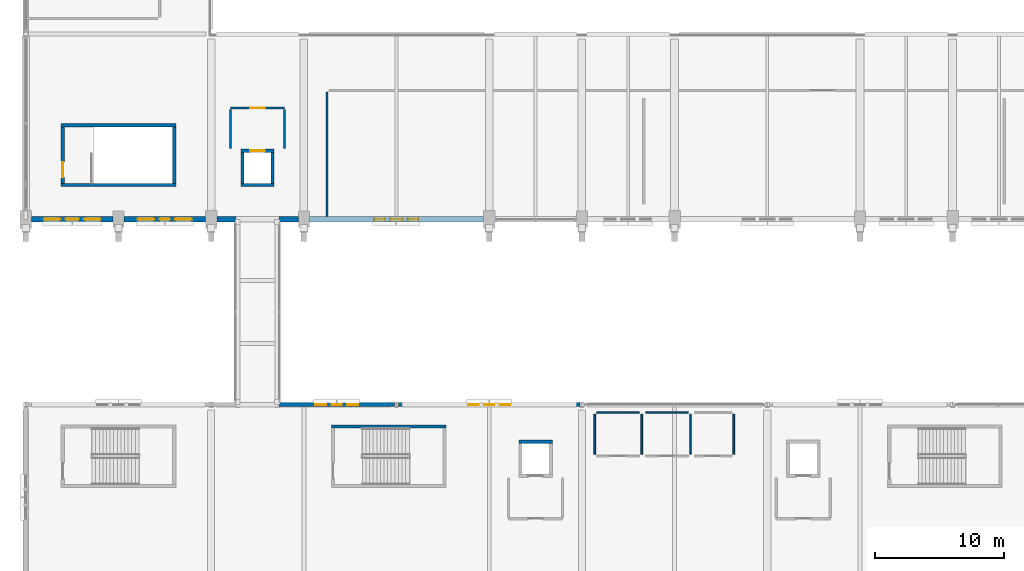
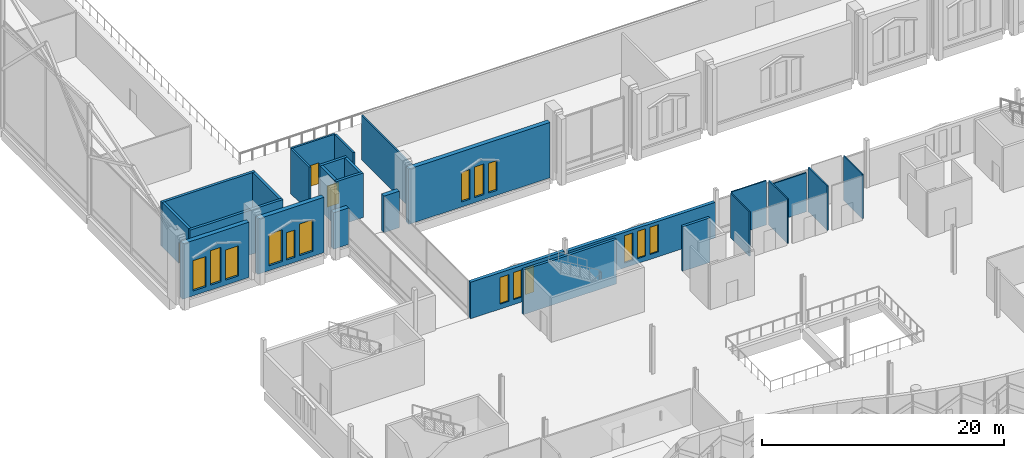
# One storey, part 150 of 220: 27 walls, 15 windows, 3 doors, 18 openings.
"""IFC4 building model written with IfcOpenShell, lengths in metres."""

from ifc_helpers import new_model, si_unit, direction, frame, frame_2d, origin, place, context, subcontext, project, spatial, rectangle, extrude, material, layer, layer_set, type_object, element, fill, save


model = new_model("IFC4")

# Units and contexts
model_context = context("Model", 3, precision=1e-05, world=origin(), true_north=direction((0.0, 1.0)))
body_context = subcontext(model_context, "Body", "Model", "MODEL_VIEW")
ifc_project = project(units=[si_unit("LENGTHUNIT", "METRE"), si_unit("AREAUNIT", "SQUARE_METRE"), si_unit("VOLUMEUNIT", "CUBIC_METRE"), si_unit("PLANEANGLEUNIT", "RADIAN"), si_unit("MASSUNIT", "GRAM", prefix="KILO")], contexts=[model_context])

# Site, building, storey
site_placement = place(None, origin())
site = spatial("IfcSite", under=ifc_project, at=site_placement, CompositionType="ELEMENT")
building_placement = place(site_placement, origin())
building = spatial("IfcBuilding", under=site, at=building_placement, Name="Cendralis Lancet Convention Centre", CompositionType="ELEMENT")
storey_placement = place(building_placement, frame((0.0, 0.0, 5.39990234375)))
storey = spatial("IfcBuildingStorey", under=building, at=storey_placement, Name="L01", CompositionType="ELEMENT", Elevation=5.39990234375)

# Wall, openings, windows
ifc_material_1 = material(Name="Buff sandstone ashlar and Concrete G40 (C40/50)", Category="masonry")
ifc_layer_1 = layer(ifc_material_1, 0.320068359375, Name="Buff sandstone ashlar and Concrete G40 (C40/50)")
ifc_layer_set_1 = layer_set([ifc_layer_1], Name="Buff sandstone ashlar and Concrete G40 (C40/50)")
wall_type_1 = type_object("IfcWallType", Name="ARC-EW-W320", PredefinedType="STANDARD", material=ifc_layer_set_1)
wall_1_placement = place(storey_placement, frame((19.679931640625, 36.0, 0.0), z_axis=(0.0, 0.0, 1.0), x_axis=(1.0, 0.0, 0.0)))
wall_1 = element("IfcWall", 1, at=wall_1_placement, inside=storey, type_object=wall_type_1, Name="L01 V4 Exterior Wall EW-06 #0194", PredefinedType="STANDARD", context=body_context, shape_type="SweptSolid", body=[
    extrude(rectangle(XDim=8.962158203125, YDim=0.320068359375, at=frame_2d((4.48095703125, 0.0))), origin(), (0.0, 0.0, 1.0), 3.68505859375),
])
opening_1_placement = place(wall_1_placement, frame((2.821044921875, 0.0, 0.5)))
opening_1 = element("IfcOpeningElement", 2, at=opening_1_placement, cuts=wall_1, Name="Opening WN-15", PredefinedType="OPENING", context=body_context, shape_type="SweptSolid", body=[
    extrude(rectangle(XDim=0.840087890625, YDim=2.699951171875, at=frame_2d((0.419921875, 1.35009765625))), frame((0.0, 0.169921875, 0.0), z_axis=(0.0, -1.0, 0.0), x_axis=(1.0, 0.0, 0.0)), (0.0, 0.0, 1.0), 0.340087890625),
])
opening_2_placement = place(wall_1_placement, frame((4.0810546875, 0.0, 0.5)))
opening_2 = element("IfcOpeningElement", 3, at=opening_2_placement, cuts=wall_1, Name="Opening WN-07", PredefinedType="OPENING", context=body_context, shape_type="SweptSolid", body=[
    extrude(rectangle(XDim=0.800048828125, YDim=2.75, at=frame_2d((0.39990234375, 1.375))), frame((0.0, 0.169921875, 0.0), z_axis=(0.0, -1.0, 0.0), x_axis=(1.0, 0.0, 0.0)), (0.0, 0.0, 1.0), 0.340087890625),
])
opening_3_placement = place(wall_1_placement, frame((5.301025390625, 0.0, 0.5)))
opening_3 = element("IfcOpeningElement", 4, at=opening_3_placement, cuts=wall_1, Name="Opening WN-15", PredefinedType="OPENING", context=body_context, shape_type="SweptSolid", body=[
    extrude(rectangle(XDim=0.840087890625, YDim=2.699951171875, at=frame_2d((0.419921875, 1.35009765625))), frame((0.0, 0.169921875, 0.0), z_axis=(0.0, -1.0, 0.0), x_axis=(1.0, 0.0, 0.0)), (0.0, 0.0, 1.0), 0.340087890625),
])
ifc_material_2 = material(Name="Double-glazed low-E solar-control glass", Category="glass")
window_type_1 = type_object("IfcWindowType", Name="ARC-WN-LW07", PartitioningType="SINGLE_PANEL", PredefinedType="WINDOW", material=ifc_material_2)
window_1_placement = place(opening_2_placement, origin())
window_1 = element("IfcWindow", 5, at=window_1_placement, inside=storey, type_object=window_type_1, Name="Gothic Lancet Window WN-07 #0374", OverallHeight=2.75, OverallWidth=0.800048828125, PartitioningType="SINGLE_PANEL", PredefinedType="WINDOW", context=body_context, shape_type="SweptSolid", body=[
    extrude(rectangle(XDim=0.800048828125, YDim=2.75, at=frame_2d((0.39990234375, 1.375))), frame((0.0, 0.030029296875, 0.0), z_axis=(0.0, -1.0, 0.0), x_axis=(1.0, 0.0, 0.0)), (0.0, 0.0, 1.0), 0.06005859375),
])
fill(opening_2, window_1)
window_type_2 = type_object("IfcWindowType", Name="ARC-WN-LW15", PartitioningType="SINGLE_PANEL", PredefinedType="WINDOW", material=ifc_material_2)
window_2_placement = place(opening_1_placement, origin())
window_2 = element("IfcWindow", 6, at=window_2_placement, inside=storey, type_object=window_type_2, Name="Gothic Lancet Window WN-15 #0373", OverallHeight=2.699951171875, OverallWidth=0.840087890625, PartitioningType="SINGLE_PANEL", PredefinedType="WINDOW", context=body_context, shape_type="SweptSolid", body=[
    extrude(rectangle(XDim=0.840087890625, YDim=2.699951171875, at=frame_2d((0.419921875, 1.35009765625))), frame((0.0, 0.030029296875, 0.0), z_axis=(0.0, -1.0, 0.0), x_axis=(1.0, 0.0, 0.0)), (0.0, 0.0, 1.0), 0.06005859375),
])
fill(opening_1, window_2)
window_3_placement = place(opening_3_placement, origin())
window_3 = element("IfcWindow", 7, at=window_3_placement, inside=storey, type_object=window_type_2, Name="Gothic Lancet Window WN-15 #0375", OverallHeight=2.699951171875, OverallWidth=0.840087890625, PartitioningType="SINGLE_PANEL", PredefinedType="WINDOW", context=body_context, shape_type="SweptSolid", body=[
    extrude(rectangle(XDim=0.840087890625, YDim=2.699951171875, at=frame_2d((0.419921875, 1.35009765625))), frame((0.0, 0.030029296875, 0.0), z_axis=(0.0, -1.0, 0.0), x_axis=(1.0, 0.0, 0.0)), (0.0, 0.0, 1.0), 0.06005859375),
])
fill(opening_3, window_3)

wall_2_placement = place(storey_placement, frame((28.9580078125, 36.0, 0.0), z_axis=(0.0, 0.0, 1.0), x_axis=(1.0, 0.0, 0.0)))
wall_2 = element("IfcWall", 8, at=wall_2_placement, inside=storey, type_object=wall_type_1, Name="L01 V4 Exterior Wall EW-06 #0195", PredefinedType="STANDARD", context=body_context, shape_type="SweptSolid", body=[
    extrude(rectangle(XDim=14.083984375, YDim=0.320068359375, at=frame_2d((7.0419921875, 0.0))), origin(), (0.0, 0.0, 1.0), 3.585205078125),
])
opening_4_placement = place(wall_2_placement, frame((5.422119140625, 0.0, 0.5)))
opening_4 = element("IfcOpeningElement", 9, at=opening_4_placement, cuts=wall_2, Name="Opening WN-07", PredefinedType="OPENING", context=body_context, shape_type="SweptSolid", body=[
    extrude(rectangle(XDim=0.800048828125, YDim=2.75, at=frame_2d((0.39990234375, 1.375))), frame((0.0, 0.169921875, 0.0), z_axis=(0.0, -1.0, 0.0), x_axis=(1.0, 0.0, 0.0)), (0.0, 0.0, 1.0), 0.340087890625),
])
opening_5_placement = place(wall_2_placement, frame((6.64208984375, 0.0, 0.5)))
opening_5 = element("IfcOpeningElement", 10, at=opening_5_placement, cuts=wall_2, Name="Opening WN-07", PredefinedType="OPENING", context=body_context, shape_type="SweptSolid", body=[
    extrude(rectangle(XDim=0.800048828125, YDim=2.75, at=frame_2d((0.39990234375, 1.375))), frame((0.0, 0.169921875, 0.0), z_axis=(0.0, -1.0, 0.0), x_axis=(1.0, 0.0, 0.0)), (0.0, 0.0, 1.0), 0.340087890625),
])
opening_6_placement = place(wall_2_placement, frame((7.862060546875, 0.0, 0.5)))
opening_6 = element("IfcOpeningElement", 11, at=opening_6_placement, cuts=wall_2, Name="Opening WN-07", PredefinedType="OPENING", context=body_context, shape_type="SweptSolid", body=[
    extrude(rectangle(XDim=0.800048828125, YDim=2.75, at=frame_2d((0.39990234375, 1.375))), frame((0.0, 0.169921875, 0.0), z_axis=(0.0, -1.0, 0.0), x_axis=(1.0, 0.0, 0.0)), (0.0, 0.0, 1.0), 0.340087890625),
])
window_4_placement = place(opening_4_placement, origin())
window_4 = element("IfcWindow", 12, at=window_4_placement, inside=storey, type_object=window_type_1, Name="Gothic Lancet Window WN-07 #0376", OverallHeight=2.75, OverallWidth=0.800048828125, PartitioningType="SINGLE_PANEL", PredefinedType="WINDOW", context=body_context, shape_type="SweptSolid", body=[
    extrude(rectangle(XDim=0.800048828125, YDim=2.75, at=frame_2d((0.39990234375, 1.375))), frame((0.0, 0.030029296875, 0.0), z_axis=(0.0, -1.0, 0.0), x_axis=(1.0, 0.0, 0.0)), (0.0, 0.0, 1.0), 0.06005859375),
])
fill(opening_4, window_4)
window_5_placement = place(opening_5_placement, origin())
window_5 = element("IfcWindow", 13, at=window_5_placement, inside=storey, type_object=window_type_1, Name="Gothic Lancet Window WN-07 #0377", OverallHeight=2.75, OverallWidth=0.800048828125, PartitioningType="SINGLE_PANEL", PredefinedType="WINDOW", context=body_context, shape_type="SweptSolid", body=[
    extrude(rectangle(XDim=0.800048828125, YDim=2.75, at=frame_2d((0.39990234375, 1.375))), frame((0.0, 0.030029296875, 0.0), z_axis=(0.0, -1.0, 0.0), x_axis=(1.0, 0.0, 0.0)), (0.0, 0.0, 1.0), 0.06005859375),
])
fill(opening_5, window_5)
window_6_placement = place(opening_6_placement, origin())
window_6 = element("IfcWindow", 14, at=window_6_placement, inside=storey, type_object=window_type_1, Name="Gothic Lancet Window WN-07 #0378", OverallHeight=2.75, OverallWidth=0.800048828125, PartitioningType="SINGLE_PANEL", PredefinedType="WINDOW", context=body_context, shape_type="SweptSolid", body=[
    extrude(rectangle(XDim=0.800048828125, YDim=2.75, at=frame_2d((0.39990234375, 1.375))), frame((0.0, 0.030029296875, 0.0), z_axis=(0.0, -1.0, 0.0), x_axis=(1.0, 0.0, 0.0)), (0.0, 0.0, 1.0), 0.06005859375),
])
fill(opening_6, window_6)

ifc_layer_2 = layer(ifc_material_1, 0.419921875, Name="Buff sandstone ashlar and Concrete G40 (C40/50)")
ifc_layer_set_2 = layer_set([ifc_layer_2], Name="Buff sandstone ashlar and Concrete G40 (C40/50)")
wall_type_2 = type_object("IfcWallType", Name="ARC-EW-W420", PredefinedType="STANDARD", material=ifc_layer_set_2)
wall_3_placement = place(storey_placement, frame((6.76708984375, 50.39990234375, 0.0), z_axis=(0.0, 0.0, 1.0), x_axis=(-1.0, 0.0, 0.0)))
wall_3 = element("IfcWall", 15, at=wall_3_placement, inside=storey, type_object=wall_type_2, Name="L01 V1 Exterior Wall EW-01 #0051", PredefinedType="STANDARD", context=body_context, shape_type="SweptSolid", body=[
    extrude(rectangle(XDim=6.30908203125, YDim=0.419921875, at=frame_2d((3.154541015625, 0.0))), origin(), (0.0, 0.0, 1.0), 5.585205078125),
])
opening_7_placement = place(wall_3_placement, frame((0.974609375, 0.0, 0.5)))
opening_7 = element("IfcOpeningElement", 16, at=opening_7_placement, cuts=wall_3, Name="Opening WN-16", PredefinedType="OPENING", context=body_context, shape_type="SweptSolid", body=[
    extrude(rectangle(XDim=1.239990234375, YDim=3.050048828125, at=frame_2d((0.6201171875, 1.52490234375))), frame((0.0, 0.219970703125, 0.0), z_axis=(0.0, -1.0, 0.0), x_axis=(1.0, 0.0, 0.0)), (0.0, 0.0, 1.0), 0.43994140625),
])
opening_8_placement = place(wall_3_placement, frame((2.634521484375, 0.0, 0.5)))
opening_8 = element("IfcOpeningElement", 17, at=opening_8_placement, cuts=wall_3, Name="Opening WN-06", PredefinedType="OPENING", context=body_context, shape_type="SweptSolid", body=[
    extrude(rectangle(XDim=1.0400390625, YDim=3.47998046875, at=frame_2d((0.52001953125, 1.739990234375))), frame((0.0, 0.219970703125, 0.0), z_axis=(0.0, -1.0, 0.0), x_axis=(1.0, 0.0, 0.0)), (0.0, 0.0, 1.0), 0.43994140625),
])
opening_9_placement = place(wall_3_placement, frame((4.094482421875, 0.0, 0.5)))
opening_9 = element("IfcOpeningElement", 18, at=opening_9_placement, cuts=wall_3, Name="Opening WN-16", PredefinedType="OPENING", context=body_context, shape_type="SweptSolid", body=[
    extrude(rectangle(XDim=1.239990234375, YDim=3.050048828125, at=frame_2d((0.6201171875, 1.52490234375))), frame((0.0, 0.219970703125, 0.0), z_axis=(0.0, -1.0, 0.0), x_axis=(1.0, 0.0, 0.0)), (0.0, 0.0, 1.0), 0.43994140625),
])
window_type_3 = type_object("IfcWindowType", Name="ARC-WN-LW06", PartitioningType="SINGLE_PANEL", PredefinedType="WINDOW", material=ifc_material_2)
window_7_placement = place(opening_8_placement, origin())
window_7 = element("IfcWindow", 19, at=window_7_placement, inside=storey, type_object=window_type_3, Name="Gothic Lancet Window WN-06 #0074", OverallHeight=3.47998046875, OverallWidth=1.0400390625, PartitioningType="SINGLE_PANEL", PredefinedType="WINDOW", context=body_context, shape_type="SweptSolid", body=[
    extrude(rectangle(XDim=1.0400390625, YDim=3.47998046875, at=frame_2d((0.52001953125, 1.739990234375))), frame((0.0, 0.030029296875, 0.0), z_axis=(0.0, -1.0, 0.0), x_axis=(1.0, 0.0, 0.0)), (0.0, 0.0, 1.0), 0.06005859375),
])
fill(opening_8, window_7)
window_type_4 = type_object("IfcWindowType", Name="ARC-WN-LW16", PartitioningType="SINGLE_PANEL", PredefinedType="WINDOW", material=ifc_material_2)
window_8_placement = place(opening_7_placement, origin())
window_8 = element("IfcWindow", 20, at=window_8_placement, inside=storey, type_object=window_type_4, Name="Gothic Lancet Window WN-16 #0073", OverallHeight=3.050048828125, OverallWidth=1.239990234375, PartitioningType="SINGLE_PANEL", PredefinedType="WINDOW", context=body_context, shape_type="SweptSolid", body=[
    extrude(rectangle(XDim=1.239990234375, YDim=3.050048828125, at=frame_2d((0.6201171875, 1.52490234375))), frame((0.0, 0.030029296875, 0.0), z_axis=(0.0, -1.0, 0.0), x_axis=(1.0, 0.0, 0.0)), (0.0, 0.0, 1.0), 0.06005859375),
])
fill(opening_7, window_8)
window_9_placement = place(opening_9_placement, origin())
window_9 = element("IfcWindow", 21, at=window_9_placement, inside=storey, type_object=window_type_4, Name="Gothic Lancet Window WN-16 #0075", OverallHeight=3.050048828125, OverallWidth=1.239990234375, PartitioningType="SINGLE_PANEL", PredefinedType="WINDOW", context=body_context, shape_type="SweptSolid", body=[
    extrude(rectangle(XDim=1.239990234375, YDim=3.050048828125, at=frame_2d((0.6201171875, 1.52490234375))), frame((0.0, 0.030029296875, 0.0), z_axis=(0.0, -1.0, 0.0), x_axis=(1.0, 0.0, 0.0)), (0.0, 0.0, 1.0), 0.06005859375),
])
fill(opening_9, window_9)

wall_4_placement = place(storey_placement, frame((13.94189453125, 50.39990234375, 0.0), z_axis=(0.0, 0.0, 1.0), x_axis=(-1.0, 0.0, 0.0)))
wall_4 = element("IfcWall", 22, at=wall_4_placement, inside=storey, type_object=wall_type_2, Name="L01 V1 Exterior Wall EW-01 #0052", PredefinedType="STANDARD", context=body_context, shape_type="SweptSolid", body=[
    extrude(rectangle(XDim=6.308837890625, YDim=0.419921875, at=frame_2d((3.154296875, 0.0))), origin(), (0.0, 0.0, 1.0), 5.585205078125),
])
opening_10_placement = place(wall_4_placement, frame((1.054443359375, 0.0, 0.5)))
opening_10 = element("IfcOpeningElement", 23, at=opening_10_placement, cuts=wall_4, Name="Opening WN-17", PredefinedType="OPENING", context=body_context, shape_type="SweptSolid", body=[
    extrude(rectangle(XDim=1.280029296875, YDim=3.199951171875, at=frame_2d((0.64013671875, 1.60009765625))), frame((0.0, 0.219970703125, 0.0), z_axis=(0.0, -1.0, 0.0), x_axis=(1.0, 0.0, 0.0)), (0.0, 0.0, 1.0), 0.43994140625),
])
opening_11_placement = place(wall_4_placement, frame((2.75439453125, 0.0, 0.5)))
opening_11 = element("IfcOpeningElement", 24, at=opening_11_placement, cuts=wall_4, Name="Opening WN-07", PredefinedType="OPENING", context=body_context, shape_type="SweptSolid", body=[
    extrude(rectangle(XDim=0.800048828125, YDim=2.75, at=frame_2d((0.39990234375, 1.375))), frame((0.0, 0.219970703125, 0.0), z_axis=(0.0, -1.0, 0.0), x_axis=(1.0, 0.0, 0.0)), (0.0, 0.0, 1.0), 0.43994140625),
])
opening_12_placement = place(wall_4_placement, frame((3.974609375, 0.0, 0.5)))
opening_12 = element("IfcOpeningElement", 25, at=opening_12_placement, cuts=wall_4, Name="Opening WN-17", PredefinedType="OPENING", context=body_context, shape_type="SweptSolid", body=[
    extrude(rectangle(XDim=1.280029296875, YDim=3.199951171875, at=frame_2d((0.64013671875, 1.60009765625))), frame((0.0, 0.219970703125, 0.0), z_axis=(0.0, -1.0, 0.0), x_axis=(1.0, 0.0, 0.0)), (0.0, 0.0, 1.0), 0.43994140625),
])
window_10_placement = place(opening_11_placement, origin())
window_10 = element("IfcWindow", 26, at=window_10_placement, inside=storey, type_object=window_type_1, Name="Gothic Lancet Window WN-07 #0077", OverallHeight=2.75, OverallWidth=0.800048828125, PartitioningType="SINGLE_PANEL", PredefinedType="WINDOW", context=body_context, shape_type="SweptSolid", body=[
    extrude(rectangle(XDim=0.800048828125, YDim=2.75, at=frame_2d((0.39990234375, 1.375))), frame((0.0, 0.030029296875, 0.0), z_axis=(0.0, -1.0, 0.0), x_axis=(1.0, 0.0, 0.0)), (0.0, 0.0, 1.0), 0.06005859375),
])
fill(opening_11, window_10)
window_type_5 = type_object("IfcWindowType", Name="ARC-WN-LW17", PartitioningType="SINGLE_PANEL", PredefinedType="WINDOW", material=ifc_material_2)
window_11_placement = place(opening_10_placement, origin())
window_11 = element("IfcWindow", 27, at=window_11_placement, inside=storey, type_object=window_type_5, Name="Gothic Lancet Window WN-17 #0076", OverallHeight=3.199951171875, OverallWidth=1.280029296875, PartitioningType="SINGLE_PANEL", PredefinedType="WINDOW", context=body_context, shape_type="SweptSolid", body=[
    extrude(rectangle(XDim=1.280029296875, YDim=3.199951171875, at=frame_2d((0.64013671875, 1.60009765625))), frame((0.0, 0.030029296875, 0.0), z_axis=(0.0, -1.0, 0.0), x_axis=(1.0, 0.0, 0.0)), (0.0, 0.0, 1.0), 0.06005859375),
])
fill(opening_10, window_11)
window_12_placement = place(opening_12_placement, origin())
window_12 = element("IfcWindow", 28, at=window_12_placement, inside=storey, type_object=window_type_5, Name="Gothic Lancet Window WN-17 #0078", OverallHeight=3.199951171875, OverallWidth=1.280029296875, PartitioningType="SINGLE_PANEL", PredefinedType="WINDOW", context=body_context, shape_type="SweptSolid", body=[
    extrude(rectangle(XDim=1.280029296875, YDim=3.199951171875, at=frame_2d((0.64013671875, 1.60009765625))), frame((0.0, 0.030029296875, 0.0), z_axis=(0.0, -1.0, 0.0), x_axis=(1.0, 0.0, 0.0)), (0.0, 0.0, 1.0), 0.06005859375),
])
fill(opening_12, window_12)

# Walls
wall_5_placement = place(storey_placement, frame((21.1669921875, 50.39990234375, 0.0), z_axis=(0.0, 0.0, 1.0), x_axis=(-1.0, 0.0, 0.0)))
element("IfcWall", 29, at=wall_5_placement, inside=storey, type_object=wall_type_2, Name="L01 V1 Exterior Wall EW-01 #0053", PredefinedType="STANDARD", context=body_context, shape_type="SweptSolid", body=[
    extrude(rectangle(XDim=1.487060546875, YDim=0.419921875, at=frame_2d((0.74365234375, 0.0))), origin(), (0.0, 0.0, 1.0), 3.68505859375),
])
wall_6_placement = place(storey_placement, frame((16.320068359375, 50.39990234375, 0.0), z_axis=(0.0, 0.0, 1.0), x_axis=(-1.0, 0.0, 0.0)))
element("IfcWall", 30, at=wall_6_placement, inside=storey, type_object=wall_type_2, Name="L01 V1 Exterior Wall EW-01 #0054", PredefinedType="STANDARD", context=body_context, shape_type="SweptSolid", body=[
    extrude(rectangle(XDim=1.462158203125, YDim=0.419921875, at=frame_2d((0.73095703125, 0.0))), origin(), (0.0, 0.0, 1.0), 3.68505859375),
])

# Wall, openings, windows
wall_7_placement = place(storey_placement, frame((35.5419921875, 50.39990234375, 0.0), z_axis=(0.0, 0.0, 1.0), x_axis=(-1.0, 0.0, 0.0)))
wall_7 = element("IfcWall", 31, at=wall_7_placement, inside=storey, type_object=wall_type_2, Name="L01 V1 Exterior Wall EW-01 #0055", PredefinedType="STANDARD", context=body_context, shape_type="SweptSolid", body=[
    extrude(rectangle(XDim=13.509033203125, YDim=0.419921875, at=frame_2d((6.75439453125, 0.0))), origin(), (0.0, 0.0, 1.0), 5.585205078125),
])
opening_13_placement = place(wall_7_placement, frame((5.04443359375, 0.0, 0.5)))
opening_13 = element("IfcOpeningElement", 32, at=opening_13_placement, cuts=wall_7, Name="Opening WN-02", PredefinedType="OPENING", context=body_context, shape_type="SweptSolid", body=[
    extrude(rectangle(XDim=0.820068359375, YDim=3.0, at=frame_2d((0.41015625, 1.5))), frame((0.0, 0.219970703125, 0.0), z_axis=(0.0, -1.0, 0.0), x_axis=(1.0, 0.0, 0.0)), (0.0, 0.0, 1.0), 0.43994140625),
])
opening_14_placement = place(wall_7_placement, frame((6.284423828125, 0.0, 0.5)))
opening_14 = element("IfcOpeningElement", 33, at=opening_14_placement, cuts=wall_7, Name="Opening WN-09", PredefinedType="OPENING", context=body_context, shape_type="SweptSolid", body=[
    extrude(rectangle(XDim=0.93994140625, YDim=3.10009765625, at=frame_2d((0.469970703125, 1.550048828125))), frame((0.0, 0.219970703125, 0.0), z_axis=(0.0, -1.0, 0.0), x_axis=(1.0, 0.0, 0.0)), (0.0, 0.0, 1.0), 0.43994140625),
])
opening_15_placement = place(wall_7_placement, frame((7.64453125, 0.0, 0.5)))
opening_15 = element("IfcOpeningElement", 34, at=opening_15_placement, cuts=wall_7, Name="Opening WN-02", PredefinedType="OPENING", context=body_context, shape_type="SweptSolid", body=[
    extrude(rectangle(XDim=0.820068359375, YDim=3.0, at=frame_2d((0.41015625, 1.5))), frame((0.0, 0.219970703125, 0.0), z_axis=(0.0, -1.0, 0.0), x_axis=(1.0, 0.0, 0.0)), (0.0, 0.0, 1.0), 0.43994140625),
])
window_type_6 = type_object("IfcWindowType", Name="ARC-WN-LW02", PartitioningType="SINGLE_PANEL", PredefinedType="WINDOW", material=ifc_material_2)
window_13_placement = place(opening_13_placement, origin())
window_13 = element("IfcWindow", 35, at=window_13_placement, inside=storey, type_object=window_type_6, Name="Gothic Lancet Window WN-02 #0079", OverallHeight=3.0, OverallWidth=0.820068359375, PartitioningType="SINGLE_PANEL", PredefinedType="WINDOW", context=body_context, shape_type="SweptSolid", body=[
    extrude(rectangle(XDim=0.820068359375, YDim=3.0, at=frame_2d((0.41015625, 1.5))), frame((0.0, 0.030029296875, 0.0), z_axis=(0.0, -1.0, 0.0), x_axis=(1.0, 0.0, 0.0)), (0.0, 0.0, 1.0), 0.06005859375),
])
fill(opening_13, window_13)
window_14_placement = place(opening_15_placement, origin())
window_14 = element("IfcWindow", 36, at=window_14_placement, inside=storey, type_object=window_type_6, Name="Gothic Lancet Window WN-02 #0081", OverallHeight=3.0, OverallWidth=0.820068359375, PartitioningType="SINGLE_PANEL", PredefinedType="WINDOW", context=body_context, shape_type="SweptSolid", body=[
    extrude(rectangle(XDim=0.820068359375, YDim=3.0, at=frame_2d((0.41015625, 1.5))), frame((0.0, 0.030029296875, 0.0), z_axis=(0.0, -1.0, 0.0), x_axis=(1.0, 0.0, 0.0)), (0.0, 0.0, 1.0), 0.06005859375),
])
fill(opening_15, window_14)
window_type_7 = type_object("IfcWindowType", Name="ARC-WN-LW09", PartitioningType="SINGLE_PANEL", PredefinedType="WINDOW", material=ifc_material_2)
window_15_placement = place(opening_14_placement, origin())
window_15 = element("IfcWindow", 37, at=window_15_placement, inside=storey, type_object=window_type_7, Name="Gothic Lancet Window WN-09 #0080", OverallHeight=3.10009765625, OverallWidth=0.93994140625, PartitioningType="SINGLE_PANEL", PredefinedType="WINDOW", context=body_context, shape_type="SweptSolid", body=[
    extrude(rectangle(XDim=0.93994140625, YDim=3.10009765625, at=frame_2d((0.469970703125, 1.550048828125))), frame((0.0, 0.030029296875, 0.0), z_axis=(0.0, -1.0, 0.0), x_axis=(1.0, 0.0, 0.0)), (0.0, 0.0, 1.0), 0.06005859375),
])
fill(opening_14, window_15)

# Walls
ifc_material_3 = material(Name="Acoustic fire-rated gypsum board on steel studs", Category="steel")
ifc_layer_3 = layer(ifc_material_3, 0.1201171875, Name="Acoustic fire-rated gypsum board on steel studs")
ifc_layer_set_3 = layer_set([ifc_layer_3], Name="Acoustic fire-rated gypsum board on steel studs")
wall_type_3 = type_object("IfcWallType", Name="ARC-IW-P120", PredefinedType="PARTITIONING", material=ifc_layer_set_3)
wall_8_placement = place(storey_placement, frame((44.35009765625, 35.39990234375, 0.0), z_axis=(0.0, 0.0, 1.0), x_axis=(1.0, 0.0, 0.0)))
element("IfcWall", 38, at=wall_8_placement, inside=storey, type_object=wall_type_3, Name="L01 Interior Partition IW-05 #0246", PredefinedType="PARTITIONING", context=body_context, shape_type="SweptSolid", body=[
    extrude(rectangle(XDim=3.2998046875, YDim=0.1201171875, at=frame_2d((1.64990234375, 0.0))), origin(), (0.0, 0.0, 1.0), 4.485107421875),
])
for number, where, z_axis, x_axis, name in (
    (39, (44.199951171875, 32.139892578125, 0.0), (0.0, 0.0, 1.0), (0.0, 1.0, 0.0), "L01 Interior Partition IW-05 #0247"),
    (40, (47.85009765625, 32.139892578125, 0.0), (0.0, 0.0, 1.0), (0.0, 1.0, 0.0), "L01 Interior Partition IW-05 #0248"),
):
    element("IfcWall", number, at=place(storey_placement, frame(where, z_axis=z_axis, x_axis=x_axis)), inside=storey, type_object=wall_type_3, Name=name, PredefinedType="PARTITIONING", context=body_context, shape_type="SweptSolid", body=[
        extrude(rectangle(XDim=3.1201171875, YDim=0.1201171875, at=frame_2d((1.56005859375, 0.0))), origin(), (0.0, 0.0, 1.0), 4.485107421875),
    ])
wall_9_placement = place(storey_placement, frame((48.14990234375, 35.39990234375, 0.0), z_axis=(0.0, 0.0, 1.0), x_axis=(1.0, 0.0, 0.0)))
element("IfcWall", 41, at=wall_9_placement, inside=storey, type_object=wall_type_3, Name="L01 Interior Partition IW-05 #0250", PredefinedType="PARTITIONING", context=body_context, shape_type="SweptSolid", body=[
    extrude(rectangle(XDim=3.300048828125, YDim=0.1201171875, at=frame_2d((1.64990234375, 0.0))), origin(), (0.0, 0.0, 1.0), 3.93505859375),
])
for number, where, z_axis, x_axis, name in (
    (42, (51.64990234375, 32.139892578125, 0.0), (0.0, 0.0, 1.0), (0.0, 1.0, 0.0), "L01 Interior Partition IW-05 #0251"),
    (43, (55.0, 32.139892578125, 0.0), (0.0, 0.0, 1.0), (0.0, 1.0, 0.0), "L01 Interior Partition IW-05 #0254"),
):
    element("IfcWall", number, at=place(storey_placement, frame(where, z_axis=z_axis, x_axis=x_axis)), inside=storey, type_object=wall_type_3, Name=name, PredefinedType="PARTITIONING", context=body_context, shape_type="SweptSolid", body=[
        extrude(rectangle(XDim=3.1201171875, YDim=0.1201171875, at=frame_2d((1.56005859375, 0.0))), origin(), (0.0, 0.0, 1.0), 4.485107421875),
    ])
ifc_layer_4 = layer(ifc_material_3, 0.139892578125, Name="Acoustic fire-rated gypsum board on steel studs")
ifc_layer_set_4 = layer_set([ifc_layer_4], Name="Acoustic fire-rated gypsum board on steel studs")
wall_type_4 = type_object("IfcWallType", Name="ARC-IW-P140", PredefinedType="PARTITIONING", material=ifc_layer_set_4)
wall_10_placement = place(storey_placement, frame((23.39990234375, 50.6201171875, 0.0), z_axis=(0.0, 0.0, 1.0), x_axis=(0.0, 1.0, 0.0)))
element("IfcWall", 44, at=wall_10_placement, inside=storey, type_object=wall_type_4, Name="L01 Interior Partition IW-04 #0026", PredefinedType="PARTITIONING", context=body_context, shape_type="SweptSolid", body=[
    extrude(rectangle(XDim=9.639892578125, YDim=0.139892578125, at=frame_2d((4.81982421875, 0.0))), origin(), (0.0, 0.0, 1.0), 4.485107421875),
])

# Wall, opening, door
ifc_layer_5 = layer(ifc_material_3, 0.179931640625, Name="Acoustic fire-rated gypsum board on steel studs")
ifc_layer_set_5 = layer_set([ifc_layer_5], Name="Acoustic fire-rated gypsum board on steel studs")
wall_type_5 = type_object("IfcWallType", Name="ARC-IW-P180", PredefinedType="PARTITIONING", material=ifc_layer_set_5)
wall_11_placement = place(storey_placement, frame((15.89990234375, 59.050048828125, 0.0), z_axis=(0.0, 0.0, 1.0), x_axis=(1.0, 0.0, 0.0)))
wall_11 = element("IfcWall", 45, at=wall_11_placement, inside=storey, type_object=wall_type_5, Name="L01 Lift Lobby LP-08 Front Wall", PredefinedType="PARTITIONING", context=body_context, shape_type="SweptSolid", body=[
    extrude(rectangle(XDim=4.2001953125, YDim=0.179931640625, at=frame_2d((2.10009765625, 0.0))), origin(), (0.0, 0.0, 1.0), 4.5),
])
opening_16_placement = place(wall_11_placement, frame((1.550048828125, 0.0, 0.0)))
opening_16 = element("IfcOpeningElement", 46, at=opening_16_placement, cuts=wall_11, Name="Opening FD-11", PredefinedType="OPENING", context=body_context, shape_type="SweptSolid", body=[
    extrude(rectangle(XDim=1.10009765625, YDim=2.14990234375, at=frame_2d((0.550048828125, 1.074951171875))), frame((0.0, 0.099853515625, 0.0), z_axis=(0.0, -1.0, 0.0), x_axis=(1.0, 0.0, 0.0)), (0.0, 0.0, 1.0), 0.199951171875),
])
ifc_material_4 = material(Name="Steel S355", Category="steel")
door_type_1 = type_object("IfcDoorType", Name="ARC-DR-FF11", OperationType="NOTDEFINED", PredefinedType="DOOR", material=ifc_material_4)
door_1_placement = place(opening_16_placement, origin())
door_1 = element("IfcDoor", 47, at=door_1_placement, inside=storey, type_object=door_type_1, Name="L01-D067 L01 Lift Lobby LP-08 Fire Door", OperationType="SINGLE_SWING_LEFT", OverallHeight=2.14990234375, OverallWidth=1.10009765625, PredefinedType="DOOR", context=body_context, shape_type="SweptSolid", body=[
    extrude(rectangle(XDim=1.10009765625, YDim=2.14990234375, at=frame_2d((0.550048828125, 1.074951171875))), frame((0.0, 0.02490234375, 0.0), z_axis=(0.0, -1.0, 0.0), x_axis=(1.0, 0.0, 0.0)), (0.0, 0.0, 1.0), 0.050048828125),
])
fill(opening_16, door_1)

# Walls
for number, where, z_axis, x_axis, name in (
    (48, (15.89990234375, 55.89990234375, 0.0), (0.0, 0.0, 1.0), (0.0, 1.0, 0.0), "L01 Lift Lobby LP-08 West Wall"),
    (49, (20.10009765625, 55.89990234375, 0.0), (0.0, 0.0, 1.0), (0.0, 1.0, 0.0), "L01 Lift Lobby LP-08 East Wall"),
):
    element("IfcWall", number, at=place(storey_placement, frame(where, z_axis=z_axis, x_axis=x_axis)), inside=storey, type_object=wall_type_5, Name=name, PredefinedType="PARTITIONING", context=body_context, shape_type="SweptSolid", body=[
        extrude(rectangle(XDim=3.050048828125, YDim=0.179931640625, at=frame_2d((1.52490234375, 0.0))), origin(), (0.0, 0.0, 1.0), 4.5),
    ])

# Wall, opening, door
ifc_material_5 = material(Name="Concrete G40 (C40/50)", Category="concrete")
ifc_layer_6 = layer(ifc_material_5, 0.25, Name="Concrete G40 (C40/50)")
ifc_layer_set_6 = layer_set([ifc_layer_6], Name="Concrete G40 (C40/50)")
wall_type_6 = type_object("IfcWallType", Name="STR-SW-CW250", PredefinedType="SHEAR", material=ifc_layer_set_6)
wall_12_placement = place(storey_placement, frame((2.875, 53.199951171875, 0.0), z_axis=(0.0, 0.0, 1.0), x_axis=(0.0, 1.0, 0.0)))
wall_12 = element("IfcWall", 50, at=wall_12_placement, inside=storey, type_object=wall_type_6, Name="L01 Stair Core ST-01 West Shear Wall", PredefinedType="SHEAR", context=body_context, shape_type="SweptSolid", body=[
    extrude(rectangle(XDim=4.380126953125, YDim=0.25, at=frame_2d((2.18994140625, 0.0))), origin(), (0.0, 0.0, 1.0), 4.5),
])
opening_17_placement = place(wall_12_placement, frame((0.449951171875, 0.0, 0.0)))
opening_17 = element("IfcOpeningElement", 51, at=opening_17_placement, cuts=wall_12, Name="Opening SD-12", PredefinedType="OPENING", context=body_context, shape_type="SweptSolid", body=[
    extrude(rectangle(XDim=1.199951171875, YDim=2.14990234375, at=frame_2d((0.60009765625, 1.074951171875))), frame((0.0, 0.135009765625, 0.0), z_axis=(0.0, -1.0, 0.0), x_axis=(1.0, 0.0, 0.0)), (0.0, 0.0, 1.0), 0.27001953125),
])
door_type_2 = type_object("IfcDoorType", Name="ARC-DR-ST12", OperationType="NOTDEFINED", PredefinedType="DOOR", material=ifc_material_4)
door_2_placement = place(opening_17_placement, frame((1.199951171875, 0.0, 0.0), z_axis=(0.0, 0.0, 1.0), x_axis=(-1.0, 0.0, 0.0)))
door_2 = element("IfcDoor", 52, at=door_2_placement, inside=storey, type_object=door_type_2, Name="L01-D068 L01 Exit Stair ST-01 Fire Door", OperationType="SINGLE_SWING_LEFT", OverallHeight=2.14990234375, OverallWidth=1.199951171875, PredefinedType="DOOR", context=body_context, shape_type="SweptSolid", body=[
    extrude(rectangle(XDim=1.199951171875, YDim=2.14990234375, at=frame_2d((0.60009765625, 1.074951171875))), frame((0.0, 0.02490234375, 0.0), z_axis=(0.0, -1.0, 0.0), x_axis=(1.0, 0.0, 0.0)), (0.0, 0.0, 1.0), 0.050048828125),
])
fill(opening_17, door_2)

# Walls
wall_13_placement = place(storey_placement, frame((11.52490234375, 53.199951171875, 0.0), z_axis=(0.0, 0.0, 1.0), x_axis=(0.0, 1.0, 0.0)))
element("IfcWall", 53, at=wall_13_placement, inside=storey, type_object=wall_type_6, Name="L01 Stair Core ST-01 East Shear Wall", PredefinedType="SHEAR", context=body_context, shape_type="SweptSolid", body=[
    extrude(rectangle(XDim=4.380126953125, YDim=0.25, at=frame_2d((2.18994140625, 0.0))), origin(), (0.0, 0.0, 1.0), 4.5),
])
for number, where, z_axis, x_axis, name in (
    (54, (2.75, 53.074951171875, 0.0), (0.0, 0.0, 1.0), (1.0, 0.0, 0.0), "L01 Stair Core ST-01 South Shear Wall"),
    (55, (2.75, 57.705078125, 0.0), (0.0, 0.0, 1.0), (1.0, 0.0, 0.0), "L01 Stair Core ST-01 North Shear Wall"),
    (56, (23.75, 34.304931640625, 0.0), (0.0, 0.0, 1.0), (1.0, 0.0, 0.0), "L01 Stair Core ST-11 North Shear Wall"),
):
    element("IfcWall", number, at=place(storey_placement, frame(where, z_axis=z_axis, x_axis=x_axis)), inside=storey, type_object=wall_type_6, Name=name, PredefinedType="SHEAR", context=body_context, shape_type="SweptSolid", body=[
        extrude(rectangle(XDim=8.89990234375, YDim=0.25, at=frame_2d((4.449951171875, 0.0))), origin(), (0.0, 0.0, 1.0), 4.5),
    ])
wall_14_placement = place(storey_placement, frame((38.300048828125, 33.125, 0.0), z_axis=(0.0, 0.0, 1.0), x_axis=(1.0, 0.0, 0.0)))
element("IfcWall", 57, at=wall_14_placement, inside=storey, type_object=wall_type_6, Name="L01 Lift LP-03 North Shaft Wall", PredefinedType="SHEAR", context=body_context, shape_type="SweptSolid", body=[
    extrude(rectangle(XDim=2.599853515625, YDim=0.25, at=frame_2d((1.2998046875, 0.0))), origin(), (0.0, 0.0, 1.0), 4.5),
])
wall_15_placement = place(storey_placement, frame((16.699951171875, 53.074951171875, 0.0), z_axis=(0.0, 0.0, 1.0), x_axis=(1.0, 0.0, 0.0)))
element("IfcWall", 58, at=wall_15_placement, inside=storey, type_object=wall_type_6, Name="L01 Lift LP-08 South Shaft Wall", PredefinedType="SHEAR", context=body_context, shape_type="SweptSolid", body=[
    extrude(rectangle(XDim=2.60009765625, YDim=0.25, at=frame_2d((1.300048828125, 0.0))), origin(), (0.0, 0.0, 1.0), 4.5),
])

# Wall, opening, door
wall_16_placement = place(storey_placement, frame((16.699951171875, 55.72509765625, 0.0), z_axis=(0.0, 0.0, 1.0), x_axis=(1.0, 0.0, 0.0)))
wall_16 = element("IfcWall", 59, at=wall_16_placement, inside=storey, type_object=wall_type_6, Name="L01 Lift LP-08 North Shaft Wall", PredefinedType="SHEAR", context=body_context, shape_type="SweptSolid", body=[
    extrude(rectangle(XDim=2.60009765625, YDim=0.25, at=frame_2d((1.300048828125, 0.0))), origin(), (0.0, 0.0, 1.0), 4.5),
])
opening_18_placement = place(wall_16_placement, frame((0.75, 0.0, 0.0)))
opening_18 = element("IfcOpeningElement", 60, at=opening_18_placement, cuts=wall_16, Name="Opening LD-11", PredefinedType="OPENING", context=body_context, shape_type="SweptSolid", body=[
    extrude(rectangle(XDim=1.10009765625, YDim=2.14990234375, at=frame_2d((0.550048828125, 1.074951171875))), frame((0.0, 0.135009765625, 0.0), z_axis=(0.0, -1.0, 0.0), x_axis=(1.0, 0.0, 0.0)), (0.0, 0.0, 1.0), 0.27001953125),
])
ifc_material_6 = material(Name="Anodised bronze architectural aluminium", Category="aluminium")
door_type_3 = type_object("IfcDoorType", Name="ARC-DR-LD11", OperationType="NOTDEFINED", PredefinedType="DOOR", material=ifc_material_6)
door_3_placement = place(opening_18_placement, origin())
door_3 = element("IfcDoor", 61, at=door_3_placement, inside=storey, type_object=door_type_3, Name="L01-D053 L01 Lift LP-08 Sliding Landing Door", OperationType="SLIDING_TO_RIGHT", OverallHeight=2.14990234375, OverallWidth=1.10009765625, PredefinedType="DOOR", context=body_context, shape_type="SweptSolid", body=[
    extrude(rectangle(XDim=1.10009765625, YDim=2.14990234375, at=frame_2d((0.550048828125, 1.074951171875))), frame((0.0, 0.02490234375, 0.0), z_axis=(0.0, -1.0, 0.0), x_axis=(1.0, 0.0, 0.0)), (0.0, 0.0, 1.0), 0.050048828125),
])
fill(opening_18, door_3)

# Walls
for number, where, z_axis, x_axis, name in (
    (62, (16.824951171875, 53.199951171875, 0.0), (0.0, 0.0, 1.0), (0.0, 1.0, 0.0), "L01 Lift LP-08 West Shaft Wall"),
    (63, (19.175048828125, 53.199951171875, 0.0), (0.0, 0.0, 1.0), (0.0, 1.0, 0.0), "L01 Lift LP-08 East Shaft Wall"),
):
    element("IfcWall", number, at=place(storey_placement, frame(where, z_axis=z_axis, x_axis=x_axis)), inside=storey, type_object=wall_type_6, Name=name, PredefinedType="SHEAR", context=body_context, shape_type="SweptSolid", body=[
        extrude(rectangle(XDim=2.400146484375, YDim=0.25, at=frame_2d((1.2001953125, 0.0))), origin(), (0.0, 0.0, 1.0), 4.5),
    ])

save(model, "model.ifc")
